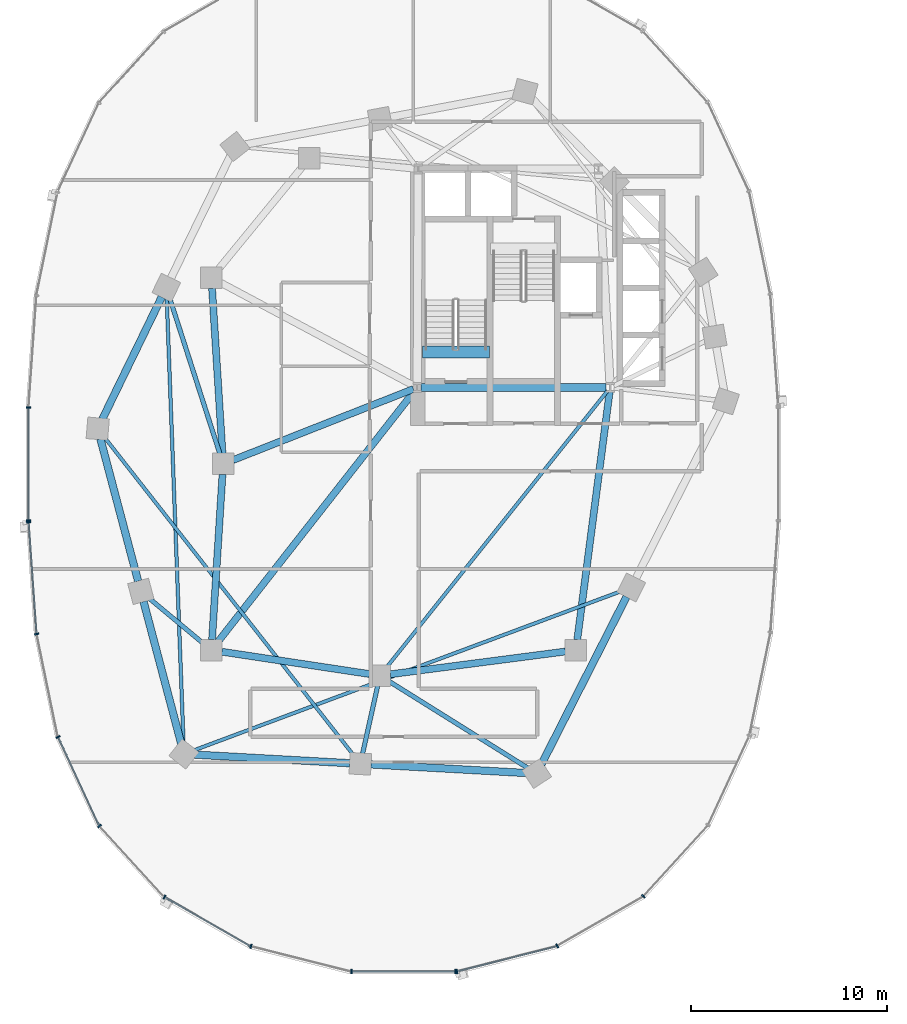
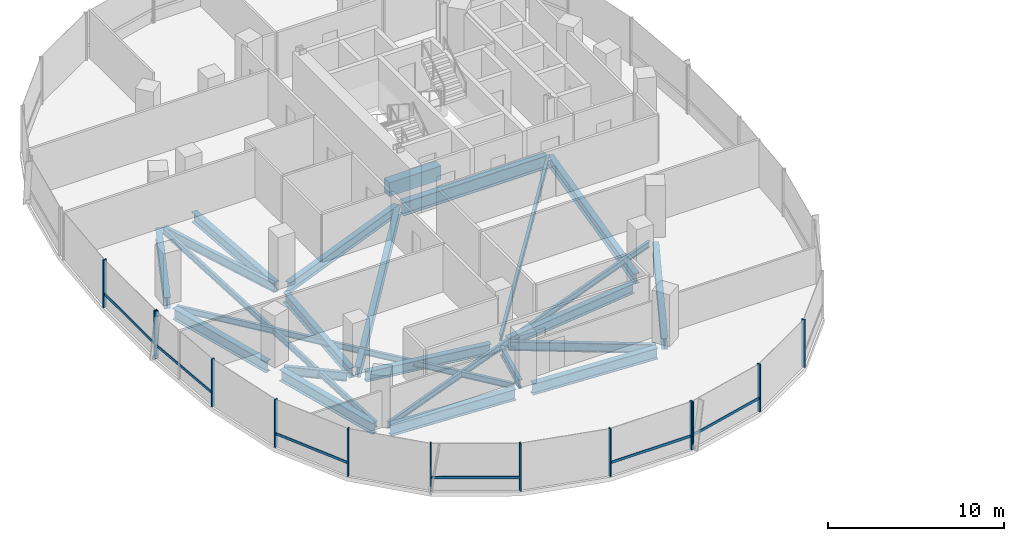
# One storey, part 2 of 21: 23 beams, 19 members, 3 elements without a shape of their own.
"""IFC4 building model written with IfcOpenShell, lengths in metres."""

from ifc_helpers import new_model, si_unit, direction, frame, origin, origin_2d, place, context, subcontext, project, spatial, rectangle, i_section, extrude, material, material_profile, profile_set, type_object, element, aggregate, save


model = new_model("IFC4")

# Units and contexts
model_context = context("Model", 3, precision=1e-05, world=origin(), true_north=direction((0.0, 1.0)))
body_context = subcontext(model_context, "Body", "Model", "MODEL_VIEW")
ifc_project = project(units=[si_unit("LENGTHUNIT", "METRE"), si_unit("AREAUNIT", "SQUARE_METRE"), si_unit("VOLUMEUNIT", "CUBIC_METRE"), si_unit("PLANEANGLEUNIT", "RADIAN"), si_unit("MASSUNIT", "GRAM", prefix="KILO"), si_unit("THERMODYNAMICTEMPERATUREUNIT", "KELVIN"), si_unit("POWERUNIT", "WATT")], contexts=[model_context])

# Site, building, storey
site_placement = place(None, origin())
site = spatial("IfcSite", under=ifc_project, at=site_placement, CompositionType="ELEMENT")
building_placement = place(site_placement, origin())
building = spatial("IfcBuilding", under=site, at=building_placement, Name="Cundina Bronze Exchange", CompositionType="ELEMENT")
storey_placement = place(building_placement, frame((0.0, 0.0, 121.39990234375)))
storey = spatial("IfcBuildingStorey", under=building, at=storey_placement, Name="L31", CompositionType="ELEMENT", Elevation=121.39990234375)

# Beams
ifc_material_1 = material(Name="Concrete C60/75", Category="concrete")
ifc_material_profile_1 = material_profile(ifc_material_1, rectangle(XDim=0.60009765625, YDim=0.949951171875, at=origin_2d()), Name="RC600X950", Category="concrete")
ifc_profile_set_1 = profile_set([ifc_material_profile_1], Name="Concrete C60/75")
beam_type_1 = type_object("IfcBeamType", Name="BM-COUP-RC950", PredefinedType="LINTEL", material=ifc_profile_set_1)
beam_1_placement = place(storey_placement, frame((-31.02001953125, 5.719970703125, -0.474853515625), z_axis=(1.0, 0.0, 0.0), x_axis=(0.0, 1.0, 0.0)))
element("IfcBeam", 1, at=beam_1_placement, inside=storey, type_object=beam_type_1, Name="L31 Stair W1 Landing Header Beam", PredefinedType="LINTEL", context=body_context, shape_type="SweptSolid", body=[
    extrude(rectangle(XDim=0.60009765625, YDim=0.949951171875, at=origin_2d()), origin(), (0.0, 0.0, 1.0), 3.39990234375),
])
ifc_material_2 = material(Name="Steel ASTM A992 Grade 50", Category="steel")
ifc_material_profile_2 = material_profile(ifc_material_2, i_section(OverallWidth=0.22998046875, OverallDepth=0.616943359375, WebThickness=0.01318359375, FlangeThickness=0.022216796875, FilletRadius=0.013916015625, at=origin_2d()), Name="W24X94", Category="steel")
ifc_profile_set_2 = profile_set([ifc_material_profile_2], Name="Steel ASTM A992 Grade 50")
beam_type_2 = type_object("IfcBeamType", Name="BM-FLR-W24B", PredefinedType="BEAM", material=ifc_profile_set_2)
beam_2_placement = place(storey_placement, frame((-41.364990234375, 0.51220703125, -0.6083984375), z_axis=(-0.306710777581, 0.951802762612, 0.0), x_axis=(-0.951802762612, -0.306710777581, 0.0)))
element("IfcBeam", 2, at=beam_2_placement, inside=storey, type_object=beam_type_2, Name="L31 Leg W Radial Floor Beam 07", PredefinedType="BEAM", context=body_context, shape_type="SweptSolid", body=[
    extrude(i_section(OverallWidth=0.22998046875, OverallDepth=0.616943359375, WebThickness=0.01318359375, FlangeThickness=0.022216796875, FilletRadius=0.013916015625, at=origin_2d()), origin(), (0.0, 0.0, 1.0), 8.37939453125),
])
beam_3_placement = place(storey_placement, frame((-42.21337890625, -9.155517578125, -0.6083984375), z_axis=(-0.768243451945, 0.640157791911, 0.0), x_axis=(-0.640157791911, -0.768243451945, 0.0)))
element("IfcBeam", 3, at=beam_3_placement, inside=storey, type_object=beam_type_2, Name="L31 Leg W Radial Floor Beam 09", PredefinedType="BEAM", context=body_context, shape_type="SweptSolid", body=[
    extrude(i_section(OverallWidth=0.22998046875, OverallDepth=0.616943359375, WebThickness=0.01318359375, FlangeThickness=0.022216796875, FilletRadius=0.013916015625, at=origin_2d()), origin(), (0.0, 0.0, 1.0), 3.610107421875),
])
beam_4_placement = place(storey_placement, frame((-33.316650390625, -11.3251953125, -0.6083984375), z_axis=(-0.216930457819, -0.976187060184, 0.0), x_axis=(0.976187060184, -0.216930457819, 0.0)))
element("IfcBeam", 4, at=beam_4_placement, inside=storey, type_object=beam_type_2, Name="L31 Leg W Radial Floor Beam 11", PredefinedType="BEAM", context=body_context, shape_type="SweptSolid", body=[
    extrude(i_section(OverallWidth=0.22998046875, OverallDepth=0.616943359375, WebThickness=0.01318359375, FlangeThickness=0.022216796875, FilletRadius=0.013916015625, at=origin_2d()), origin(), (0.0, 0.0, 1.0), 3.533935546875),
])
beam_5_placement = place(storey_placement, frame((-32.743896484375, -11.085205078125, -0.6083984375), z_axis=(0.848003227047, -0.529991063055, 0.0), x_axis=(0.529991063055, 0.848003227047, 0.0)))
element("IfcBeam", 5, at=beam_5_placement, inside=storey, type_object=beam_type_2, Name="L31 Leg W Radial Floor Beam 12", PredefinedType="BEAM", context=body_context, shape_type="SweptSolid", body=[
    extrude(i_section(OverallWidth=0.22998046875, OverallDepth=0.616943359375, WebThickness=0.01318359375, FlangeThickness=0.022216796875, FilletRadius=0.013916015625, at=origin_2d()), origin(), (0.0, 0.0, 1.0), 8.358154296875),
])
ifc_material_profile_3 = material_profile(ifc_material_2, i_section(OverallWidth=0.178955078125, OverallDepth=0.409912109375, WebThickness=0.0087890625, FlangeThickness=0.014404296875, FilletRadius=0.010986328125, at=origin_2d()), Name="W16X45", Category="steel")
ifc_profile_set_3 = profile_set([ifc_material_profile_3], Name="Steel ASTM A992 Grade 50")
beam_type_3 = type_object("IfcBeamType", Name="BM-JST-W16", PredefinedType="JOIST", material=ifc_profile_set_3)
beam_6_placement = place(storey_placement, frame((-21.577392578125, 3.740478515625, -0.5048828125), z_axis=(-0.62436887964, -0.781129632095, 0.0), x_axis=(0.781129632095, -0.62436887964, 0.0)))
element("IfcBeam", 6, at=beam_6_placement, inside=storey, type_object=beam_type_3, Name="L31 W Interior Core-to-Ring Joist 2", PredefinedType="JOIST", context=body_context, shape_type="SweptSolid", body=[
    extrude(i_section(OverallWidth=0.178955078125, OverallDepth=0.409912109375, WebThickness=0.0087890625, FlangeThickness=0.014404296875, FilletRadius=0.010986328125, at=origin_2d()), origin(), (0.0, 0.0, 1.0), 18.076904296875),
])
beam_7_placement = place(storey_placement, frame((-44.07958984375, 8.46240234375, -0.5048828125), z_axis=(0.03778951385, -0.999285721224, 0.0), x_axis=(0.999285721224, 0.03778951385, 0.0)))
element("IfcBeam", 7, at=beam_7_placement, inside=storey, type_object=beam_type_3, Name="L31 Leg W Lobe Floor Joist 07-10", PredefinedType="JOIST", context=body_context, shape_type="SweptSolid", body=[
    extrude(i_section(OverallWidth=0.178955078125, OverallDepth=0.409912109375, WebThickness=0.0087890625, FlangeThickness=0.014404296875, FilletRadius=0.010986328125, at=origin_2d()), origin(), (0.0, 0.0, 1.0), 22.7412109375),
])
beam_8_placement = place(storey_placement, frame((-47.268310546875, 1.37646484375, -0.5048828125), z_axis=(0.616815348306, -0.787107887201, 0.0), x_axis=(0.787107887201, 0.616815348306, 0.0)))
element("IfcBeam", 8, at=beam_8_placement, inside=storey, type_object=beam_type_3, Name="L31 Leg W Lobe Floor Joist 08-11", PredefinedType="JOIST", context=body_context, shape_type="SweptSolid", body=[
    extrude(i_section(OverallWidth=0.178955078125, OverallDepth=0.409912109375, WebThickness=0.0087890625, FlangeThickness=0.014404296875, FilletRadius=0.010986328125, at=origin_2d()), origin(), (0.0, 0.0, 1.0), 20.64892578125),
])
beam_9_placement = place(storey_placement, frame((-42.69580078125, -14.6123046875, -0.5048828125), z_axis=(0.937127917421, 0.348986054721, 0.0), x_axis=(-0.348986054721, 0.937127917421, 0.0)))
element("IfcBeam", 9, at=beam_9_placement, inside=storey, type_object=beam_type_3, Name="L31 Leg W Lobe Floor Joist 10-13", PredefinedType="JOIST", context=body_context, shape_type="SweptSolid", body=[
    extrude(i_section(OverallWidth=0.178955078125, OverallDepth=0.409912109375, WebThickness=0.0087890625, FlangeThickness=0.014404296875, FilletRadius=0.010986328125, at=origin_2d()), origin(), (0.0, 0.0, 1.0), 23.2802734375),
])
ifc_material_profile_4 = material_profile(ifc_material_2, i_section(OverallWidth=0.35498046875, OverallDepth=0.695068359375, WebThickness=0.015380859375, FlangeThickness=0.02490234375, FilletRadius=0.01806640625, at=origin_2d()), Name="W27X146", Category="steel")
ifc_profile_set_4 = profile_set([ifc_material_profile_4], Name="Steel ASTM A992 Grade 50")
beam_type_4 = type_object("IfcBeamType", Name="BM-RING-W27", PredefinedType="USERDEFINED", material=ifc_profile_set_4)
for number, where, z_axis, x_axis, name in (
    (10, (-41.76611328125, 8.963134765625, -0.6474609375), (0.06303715519, -0.998011180832, 0.0), (0.998011180832, 0.06303715519, 0.0), "L31 W Inner Structural Ring Girder 03"),
    (11, (-41.23388671875, -0.536865234375, -0.6474609375), (-0.06303715519, -0.998011180832, 0.0), (0.998011180832, -0.06303715519, 0.0), "L31 W Inner Structural Ring Girder 04"),
):
    element("IfcBeam", number, at=place(storey_placement, frame(where, z_axis=z_axis, x_axis=x_axis)), inside=storey, type_object=beam_type_4, Name=name, ObjectType="GIRDER", PredefinedType="USERDEFINED", context=body_context, shape_type="SweptSolid", body=[
        extrude(i_section(OverallWidth=0.35498046875, OverallDepth=0.695068359375, WebThickness=0.015380859375, FlangeThickness=0.02490234375, FilletRadius=0.01806640625, at=origin_2d()), origin(), (0.0, 0.0, 1.0), 8.443115234375),
    ])
beam_10_placement = place(storey_placement, frame((-41.26806640625, -9.580322265625, -0.6474609375), z_axis=(0.988767489563, -0.149461873341, 0.0), x_axis=(0.149461873341, 0.988767489563, 0.0)))
element("IfcBeam", 12, at=beam_10_placement, inside=storey, type_object=beam_type_4, Name="L31 W Inner Structural Ring Girder 05", ObjectType="GIRDER", PredefinedType="USERDEFINED", context=body_context, shape_type="SweptSolid", body=[
    extrude(i_section(OverallWidth=0.35498046875, OverallDepth=0.695068359375, WebThickness=0.015380859375, FlangeThickness=0.02490234375, FilletRadius=0.01806640625, at=origin_2d()), origin(), (0.0, 0.0, 1.0), 7.621826171875),
])
beam_11_placement = place(storey_placement, frame((-32.66650390625, -10.730712890625, -0.6474609375), z_axis=(0.991654577907, 0.128923225666, 0.0), x_axis=(-0.128923225666, 0.991654577907, 0.0)))
element("IfcBeam", 13, at=beam_11_placement, inside=storey, type_object=beam_type_4, Name="L31 W Inner Structural Ring Girder 06", ObjectType="GIRDER", PredefinedType="USERDEFINED", context=body_context, shape_type="SweptSolid", body=[
    extrude(i_section(OverallWidth=0.35498046875, OverallDepth=0.695068359375, WebThickness=0.015380859375, FlangeThickness=0.02490234375, FilletRadius=0.01806640625, at=origin_2d()), origin(), (0.0, 0.0, 1.0), 9.00830078125),
])
beam_12_placement = place(storey_placement, frame((-23.13037109375, -8.966552734375, -0.6474609375), z_axis=(0.129507526533, 0.99157843894, 0.0), x_axis=(-0.99157843894, 0.129507526533, 0.0)))
element("IfcBeam", 14, at=beam_12_placement, inside=storey, type_object=beam_type_4, Name="L31 W Inner Structural Ring Girder 07", ObjectType="GIRDER", PredefinedType="USERDEFINED", context=body_context, shape_type="SweptSolid", body=[
    extrude(i_section(OverallWidth=0.35498046875, OverallDepth=0.695068359375, WebThickness=0.015380859375, FlangeThickness=0.02490234375, FilletRadius=0.01806640625, at=origin_2d()), origin(), (0.0, 0.0, 1.0), 12.77197265625),
])
beam_13_placement = place(storey_placement, frame((-31.48974609375, 3.8251953125, -0.6474609375), z_axis=(-0.930413235418, -0.366512225388, 0.0), x_axis=(0.366512225388, -0.930413235418, 0.0)))
element("IfcBeam", 15, at=beam_13_placement, inside=storey, type_object=beam_type_4, Name="L31 W Core-to-Waist Tie Beam 1", ObjectType="GIRDER", PredefinedType="USERDEFINED", context=body_context, shape_type="SweptSolid", body=[
    extrude(i_section(OverallWidth=0.35498046875, OverallDepth=0.695068359375, WebThickness=0.015380859375, FlangeThickness=0.02490234375, FilletRadius=0.01806640625, at=origin_2d()), origin(), (0.0, 0.0, 1.0), 9.8984375),
])
beam_14_placement = place(storey_placement, frame((-31.42578125, 3.739501953125, -0.6474609375), z_axis=(-0.616789275748, -0.787128318206, 0.0), x_axis=(0.787128318206, -0.616789275748, 0.0)))
element("IfcBeam", 16, at=beam_14_placement, inside=storey, type_object=beam_type_4, Name="L31 W Core-to-Waist Tie Beam 3", ObjectType="GIRDER", PredefinedType="USERDEFINED", context=body_context, shape_type="SweptSolid", body=[
    extrude(i_section(OverallWidth=0.35498046875, OverallDepth=0.695068359375, WebThickness=0.015380859375, FlangeThickness=0.02490234375, FilletRadius=0.01806640625, at=origin_2d()), origin(), (0.0, 0.0, 1.0), 16.281982421875),
])
ifc_material_profile_5 = material_profile(ifc_material_2, i_section(OverallWidth=0.381103515625, OverallDepth=0.77294921875, WebThickness=0.0166015625, FlangeThickness=0.027099609375, FilletRadius=0.01904296875, at=origin_2d()), Name="W30X173", Category="steel")
ifc_profile_set_5 = profile_set([ifc_material_profile_5], Name="Steel ASTM A992 Grade 50")
beam_type_5 = type_object("IfcBeamType", Name="BM-RING-W30", PredefinedType="USERDEFINED", material=ifc_profile_set_5)
beam_15_placement = place(storey_placement, frame((-44.335205078125, 8.51611328125, -0.6865234375), z_axis=(-0.437193894283, -0.899367276924, 0.0), x_axis=(0.899367276924, -0.437193894283, 0.0)))
element("IfcBeam", 17, at=beam_15_placement, inside=storey, type_object=beam_type_5, Name="L31 W Perimeter Ring Girder 07", ObjectType="GIRDER", PredefinedType="USERDEFINED", context=body_context, shape_type="SweptSolid", body=[
    extrude(i_section(OverallWidth=0.381103515625, OverallDepth=0.77294921875, WebThickness=0.0166015625, FlangeThickness=0.027099609375, FilletRadius=0.01904296875, at=origin_2d()), origin(), (0.0, 0.0, 1.0), 6.929443359375),
])
for number, where, z_axis, x_axis, name in (
    (18, (-47.462158203125, 1.280029296875, -0.6865234375), (0.256209719931, -0.966621218168, 0.0), (0.966621218168, 0.256209719931, 0.0), "L31 W Perimeter Ring Girder 08"),
    (19, (-45.26220703125, -7.02001953125, -0.6865234375), (0.256209719931, -0.966621218168, 0.0), (0.966621218168, 0.256209719931, 0.0), "L31 W Perimeter Ring Girder 09"),
):
    element("IfcBeam", number, at=place(storey_placement, frame(where, z_axis=z_axis, x_axis=x_axis)), inside=storey, type_object=beam_type_5, Name=name, ObjectType="GIRDER", PredefinedType="USERDEFINED", context=body_context, shape_type="SweptSolid", body=[
        extrude(i_section(OverallWidth=0.381103515625, OverallDepth=0.77294921875, WebThickness=0.0166015625, FlangeThickness=0.027099609375, FilletRadius=0.01904296875, at=origin_2d()), origin(), (0.0, 0.0, 1.0), 7.5107421875),
    ])
for number, where, z_axis, x_axis, name in (
    (20, (-42.662841796875, -14.829833984375, -0.6865234375), (0.99845950136, -0.055485350721, 0.0), (0.055485350721, 0.99845950136, 0.0), "L31 W Perimeter Ring Girder 10"),
    (21, (-33.662841796875, -15.329833984375, -0.6865234375), (0.99845950136, -0.055485350721, 0.0), (0.055485350721, 0.99845950136, 0.0), "L31 W Perimeter Ring Girder 11"),
):
    element("IfcBeam", number, at=place(storey_placement, frame(where, z_axis=z_axis, x_axis=x_axis)), inside=storey, type_object=beam_type_5, Name=name, ObjectType="GIRDER", PredefinedType="USERDEFINED", context=body_context, shape_type="SweptSolid", body=[
        extrude(i_section(OverallWidth=0.381103515625, OverallDepth=0.77294921875, WebThickness=0.0166015625, FlangeThickness=0.027099609375, FilletRadius=0.01904296875, at=origin_2d()), origin(), (0.0, 0.0, 1.0), 7.937744140625),
    ])
beam_16_placement = place(storey_placement, frame((-24.956298828125, -15.3203125, -0.6865234375), z_axis=(0.452832332744, 0.891595692241, 0.0), x_axis=(-0.891595692241, 0.452832332744, 0.0)))
element("IfcBeam", 22, at=beam_16_placement, inside=storey, type_object=beam_type_5, Name="L31 W Perimeter Ring Girder 12", ObjectType="GIRDER", PredefinedType="USERDEFINED", context=body_context, shape_type="SweptSolid", body=[
    extrude(i_section(OverallWidth=0.381103515625, OverallDepth=0.77294921875, WebThickness=0.0166015625, FlangeThickness=0.027099609375, FilletRadius=0.01904296875, at=origin_2d()), origin(), (0.0, 0.0, 1.0), 9.578857421875),
])
ifc_material_profile_6 = material_profile(ifc_material_2, i_section(OverallWidth=0.41796875, OverallDepth=0.927001953125, WebThickness=0.019287109375, FlangeThickness=0.031982421875, FilletRadius=0.02392578125, at=origin_2d()), Name="W36X231", Category="steel")
ifc_profile_set_6 = profile_set([ifc_material_profile_6], Name="Steel ASTM A992 Grade 50")
beam_type_6 = type_object("IfcBeamType", Name="BM-WRN-W36B", PredefinedType="USERDEFINED", material=ifc_profile_set_6)
beam_17_placement = place(storey_placement, frame((-31.095947265625, 3.89990234375, -0.763427734375), z_axis=(1.0, 0.0, 0.0), x_axis=(0.0, 1.0, 0.0)))
element("IfcBeam", 23, at=beam_17_placement, inside=storey, type_object=beam_type_6, Name="L31 W Core Perimeter Tie Girder 1", ObjectType="GIRDER", PredefinedType="USERDEFINED", context=body_context, shape_type="SweptSolid", body=[
    extrude(i_section(OverallWidth=0.41796875, OverallDepth=0.927001953125, WebThickness=0.019287109375, FlangeThickness=0.031982421875, FilletRadius=0.02392578125, at=origin_2d()), origin(), (0.0, 0.0, 1.0), 9.44189453125),
])

# Curtain wall, members
ifc_material_3 = material(Name="Anodised Bronze Aluminium 6063-T6", Category="aluminium")
curtain_wall_type = type_object("IfcCurtainWallType", Name="CWS-TRD-MID", PredefinedType="NOTDEFINED", material=ifc_material_3)
curtain_wall_1_placement = place(storey_placement, origin())
curtain_wall_1 = element("IfcCurtainWall", 24, at=curtain_wall_1_placement, inside=storey, type_object=curtain_wall_type, Name="L31 CW-03 Curtain Wall Run CWR-L31-W2", PredefinedType="NOTDEFINED")
ifc_material_profile_7 = material_profile(ifc_material_3, rectangle(XDim=0.074951171875, YDim=0.219970703125, at=origin_2d()), Name="AL75X220", Category="aluminium")
ifc_profile_set_7 = profile_set([ifc_material_profile_7], Name="Anodised Bronze Aluminium 6063-T6")
member_type_1 = type_object("IfcMemberType", Name="CWM-MUL-220", PredefinedType="MULLION", material=ifc_profile_set_7)
member_1_placement = place(storey_placement, frame((-51.1279296875, 2.880615234375, 0.0), z_axis=(0.0, 0.0, 1.0), x_axis=(0.0, -1.0, 0.0)))
member_1 = element("IfcMember", 25, at=member_1_placement, type_object=member_type_1, Name="CW-03 Mullion 7", PredefinedType="MULLION", context=body_context, shape_type="SweptSolid", body=[
    extrude(rectangle(XDim=0.074951171875, YDim=0.219970703125, at=origin_2d()), origin(), (0.0, 0.0, 1.0), 3.300048828125),
])
member_2_placement = place(storey_placement, frame((-51.1279296875, -2.880615234375, 0.0), z_axis=(0.0, 0.0, 1.0), x_axis=(0.0, -1.0, 0.0)))
member_2 = element("IfcMember", 26, at=member_2_placement, type_object=member_type_1, Name="CW-03 End Mullion", PredefinedType="MULLION", context=body_context, shape_type="SweptSolid", body=[
    extrude(rectangle(XDim=0.074951171875, YDim=0.219970703125, at=origin_2d()), origin(), (0.0, 0.0, 1.0), 3.300048828125),
])

curtain_wall_2_placement = place(storey_placement, origin())
curtain_wall_2 = element("IfcCurtainWall", 27, at=curtain_wall_2_placement, inside=storey, type_object=curtain_wall_type, Name="L31 CW-03 Curtain Wall Run CWR-L31-W3", PredefinedType="NOTDEFINED")
member_3_placement = place(storey_placement, frame((-51.12451171875, -2.976318359375, 0.0), z_axis=(0.0, 0.0, 1.0), x_axis=(0.070278787473, -0.997527389113, 0.0)))
member_3 = element("IfcMember", 28, at=member_3_placement, type_object=member_type_1, Name="CW-03 Mullion 1", PredefinedType="MULLION", context=body_context, shape_type="SweptSolid", body=[
    extrude(rectangle(XDim=0.074951171875, YDim=0.219970703125, at=origin_2d()), origin(), (0.0, 0.0, 1.0), 3.300048828125),
])
member_4_placement = place(storey_placement, frame((-50.717041015625, -8.67822265625, 0.0), z_axis=(0.0, 0.0, 1.0), x_axis=(0.201419845156, -0.979505000486, 0.0)))
member_4 = element("IfcMember", 29, at=member_4_placement, type_object=member_type_1, Name="CW-03 Mullion 2", PredefinedType="MULLION", context=body_context, shape_type="SweptSolid", body=[
    extrude(rectangle(XDim=0.074951171875, YDim=0.219970703125, at=origin_2d()), origin(), (0.0, 0.0, 1.0), 3.300048828125),
])
member_5_placement = place(storey_placement, frame((-49.6279296875, -13.931884765625, 0.0), z_axis=(0.0, 0.0, 1.0), x_axis=(0.42087749791, -0.907117485088, 0.0)))
member_5 = element("IfcMember", 30, at=member_5_placement, type_object=member_type_1, Name="CW-03 Mullion 3", PredefinedType="MULLION", context=body_context, shape_type="SweptSolid", body=[
    extrude(rectangle(XDim=0.074951171875, YDim=0.219970703125, at=origin_2d()), origin(), (0.0, 0.0, 1.0), 3.300048828125),
])
member_6_placement = place(storey_placement, frame((-47.508544921875, -18.47705078125, 0.0), z_axis=(0.0, 0.0, 1.0), x_axis=(0.674302387584, -0.738455340626, 0.0)))
member_6 = element("IfcMember", 31, at=member_6_placement, type_object=member_type_1, Name="CW-03 Mullion 4", PredefinedType="MULLION", context=body_context, shape_type="SweptSolid", body=[
    extrude(rectangle(XDim=0.074951171875, YDim=0.219970703125, at=origin_2d()), origin(), (0.0, 0.0, 1.0), 3.300048828125),
])
member_7_placement = place(storey_placement, frame((-44.189697265625, -22.097412109375, 0.0), z_axis=(0.0, 0.0, 1.0), x_axis=(0.867070701164, -0.498185105339, 0.0)))
member_7 = element("IfcMember", 32, at=member_7_placement, type_object=member_type_1, Name="CW-03 Mullion 5", PredefinedType="MULLION", context=body_context, shape_type="SweptSolid", body=[
    extrude(rectangle(XDim=0.074951171875, YDim=0.219970703125, at=origin_2d()), origin(), (0.0, 0.0, 1.0), 3.300048828125),
])
member_8_placement = place(storey_placement, frame((-39.78515625, -24.61669921875, 0.0), z_axis=(0.0, 0.0, 1.0), x_axis=(0.969488149345, -0.245138182011, 0.0)))
member_8 = element("IfcMember", 33, at=member_8_placement, type_object=member_type_1, Name="CW-03 Mullion 6", PredefinedType="MULLION", context=body_context, shape_type="SweptSolid", body=[
    extrude(rectangle(XDim=0.074951171875, YDim=0.219970703125, at=origin_2d()), origin(), (0.0, 0.0, 1.0), 3.300048828125),
])
member_9_placement = place(storey_placement, frame((-34.654541015625, -25.905029296875, 0.0), z_axis=(0.0, 0.0, 1.0), x_axis=(1.0, 0.0, 0.0)))
member_9 = element("IfcMember", 34, at=member_9_placement, type_object=member_type_1, Name="CW-03 Mullion 7", PredefinedType="MULLION", context=body_context, shape_type="SweptSolid", body=[
    extrude(rectangle(XDim=0.074951171875, YDim=0.219970703125, at=origin_2d()), origin(), (0.0, 0.0, 1.0), 3.300048828125),
])
member_10_placement = place(storey_placement, frame((-29.345458984375, -25.905029296875, 0.0), z_axis=(0.0, 0.0, 1.0), x_axis=(1.0, 0.0, 0.0)))
member_10 = element("IfcMember", 35, at=member_10_placement, type_object=member_type_1, Name="CW-03 End Mullion", PredefinedType="MULLION", context=body_context, shape_type="SweptSolid", body=[
    extrude(rectangle(XDim=0.074951171875, YDim=0.219970703125, at=origin_2d()), origin(), (0.0, 0.0, 1.0), 3.300048828125),
])

curtain_wall_3_placement = place(storey_placement, origin())
curtain_wall_3 = element("IfcCurtainWall", 36, at=curtain_wall_3_placement, inside=storey, type_object=curtain_wall_type, Name="L31 CW-03 Curtain Wall Run CWR-L31-W4", PredefinedType="NOTDEFINED")
member_11_placement = place(storey_placement, frame((-29.27392578125, -25.89599609375, 0.0), z_axis=(0.0, 0.0, 1.0), x_axis=(0.969488149345, 0.245138182011, 0.0)))
member_11 = element("IfcMember", 37, at=member_11_placement, type_object=member_type_1, Name="CW-03 Mullion 1", PredefinedType="MULLION", context=body_context, shape_type="SweptSolid", body=[
    extrude(rectangle(XDim=0.074951171875, YDim=0.219970703125, at=origin_2d()), origin(), (0.0, 0.0, 1.0), 3.300048828125),
])
member_12_placement = place(storey_placement, frame((-24.151123046875, -24.591064453125, 0.0), z_axis=(0.0, 0.0, 1.0), x_axis=(0.867070701164, 0.498185105339, 0.0)))
member_12 = element("IfcMember", 38, at=member_12_placement, type_object=member_type_1, Name="CW-03 Mullion 2", PredefinedType="MULLION", context=body_context, shape_type="SweptSolid", body=[
    extrude(rectangle(XDim=0.074951171875, YDim=0.219970703125, at=origin_2d()), origin(), (0.0, 0.0, 1.0), 3.300048828125),
])
member_13_placement = place(storey_placement, frame((-19.760498046875, -22.0576171875, 0.0), z_axis=(0.0, 0.0, 1.0), x_axis=(0.674302387584, 0.738455340626, 0.0)))
member_13 = element("IfcMember", 39, at=member_13_placement, type_object=member_type_1, Name="CW-03 Mullion 3", PredefinedType="MULLION", context=body_context, shape_type="SweptSolid", body=[
    extrude(rectangle(XDim=0.074951171875, YDim=0.219970703125, at=origin_2d()), origin(), (0.0, 0.0, 1.0), 3.300048828125),
])

# Member
ifc_material_profile_8 = material_profile(ifc_material_3, rectangle(XDim=0.070068359375, YDim=0.179931640625, at=origin_2d()), Name="AL70X180", Category="aluminium")
ifc_profile_set_8 = profile_set([ifc_material_profile_8], Name="Anodised Bronze Aluminium 6063-T6")
member_type_2 = type_object("IfcMemberType", Name="CWM-TRN-180", PredefinedType="USERDEFINED", material=ifc_profile_set_8)
member_14_placement = place(storey_placement, frame((-51.1279296875, 2.839111328125, 0.920166015625), z_axis=(0.0, -1.0, 0.0), x_axis=(1.0, 0.0, 0.0)))
member_14 = element("IfcMember", 40, at=member_14_placement, type_object=member_type_2, Name="CW-03 Spandrel Transom 7", ObjectType="TRANSOM", PredefinedType="USERDEFINED", context=body_context, shape_type="SweptSolid", body=[
    extrude(rectangle(XDim=0.070068359375, YDim=0.179931640625, at=origin_2d()), origin(), (0.0, 0.0, 1.0), 5.67822265625),
])

aggregate(curtain_wall_1, [member_1, member_2, member_14])

member_15_placement = place(storey_placement, frame((-51.12158203125, -3.017333984375, 0.920166015625), z_axis=(0.070260714471, -0.997528662246, 0.0), x_axis=(0.997528662246, 0.070260714471, 0.0)))
member_15 = element("IfcMember", 41, at=member_15_placement, type_object=member_type_2, Name="CW-03 Spandrel Transom 1", ObjectType="TRANSOM", PredefinedType="USERDEFINED", context=body_context, shape_type="SweptSolid", body=[
    extrude(rectangle(XDim=0.070068359375, YDim=0.179931640625, at=origin_2d()), origin(), (0.0, 0.0, 1.0), 5.629150390625),
])

member_16_placement = place(storey_placement, frame((-49.610595703125, -13.96923828125, 0.920166015625), z_axis=(0.420811422796, -0.907148139195, 0.0), x_axis=(0.907148139195, 0.420811422796, 0.0)))
member_16 = element("IfcMember", 42, at=member_16_placement, type_object=member_type_2, Name="CW-03 Spandrel Transom 3", ObjectType="TRANSOM", PredefinedType="USERDEFINED", context=body_context, shape_type="SweptSolid", body=[
    extrude(rectangle(XDim=0.070068359375, YDim=0.179931640625, at=origin_2d()), origin(), (0.0, 0.0, 1.0), 4.95166015625),
])

member_17_placement = place(storey_placement, frame((-44.154052734375, -22.117919921875, 0.920166015625), z_axis=(0.867097475651, -0.498138502546, 0.0), x_axis=(0.498138502546, 0.867097475651, 0.0)))
member_17 = element("IfcMember", 43, at=member_17_placement, type_object=member_type_2, Name="CW-03 Spandrel Transom 5", ObjectType="TRANSOM", PredefinedType="USERDEFINED", context=body_context, shape_type="SweptSolid", body=[
    extrude(rectangle(XDim=0.070068359375, YDim=0.179931640625, at=origin_2d()), origin(), (0.0, 0.0, 1.0), 5.00634765625),
])

member_18_placement = place(storey_placement, frame((-34.61328125, -25.905029296875, 0.920166015625), z_axis=(1.0, 0.0, 0.0), x_axis=(0.0, 1.0, 0.0)))
member_18 = element("IfcMember", 44, at=member_18_placement, type_object=member_type_2, Name="CW-03 Spandrel Transom 7", ObjectType="TRANSOM", PredefinedType="USERDEFINED", context=body_context, shape_type="SweptSolid", body=[
    extrude(rectangle(XDim=0.070068359375, YDim=0.179931640625, at=origin_2d()), origin(), (0.0, 0.0, 1.0), 5.2265625),
])

aggregate(curtain_wall_2, [member_3, member_15, member_4, member_5, member_16, member_6, member_7, member_17, member_8, member_9, member_10, member_18])

member_19_placement = place(storey_placement, frame((-29.23388671875, -25.885986328125, 0.920166015625), z_axis=(0.969483968866, 0.245154714644, 0.0), x_axis=(-0.245154714644, 0.969483968866, 0.0)))
member_19 = element("IfcMember", 45, at=member_19_placement, type_object=member_type_2, Name="CW-03 Spandrel Transom 1", ObjectType="TRANSOM", PredefinedType="USERDEFINED", context=body_context, shape_type="SweptSolid", body=[
    extrude(rectangle(XDim=0.070068359375, YDim=0.179931640625, at=origin_2d()), origin(), (0.0, 0.0, 1.0), 5.21826171875),
])

aggregate(curtain_wall_3, [member_11, member_19, member_12, member_13])

save(model, "model.ifc")
